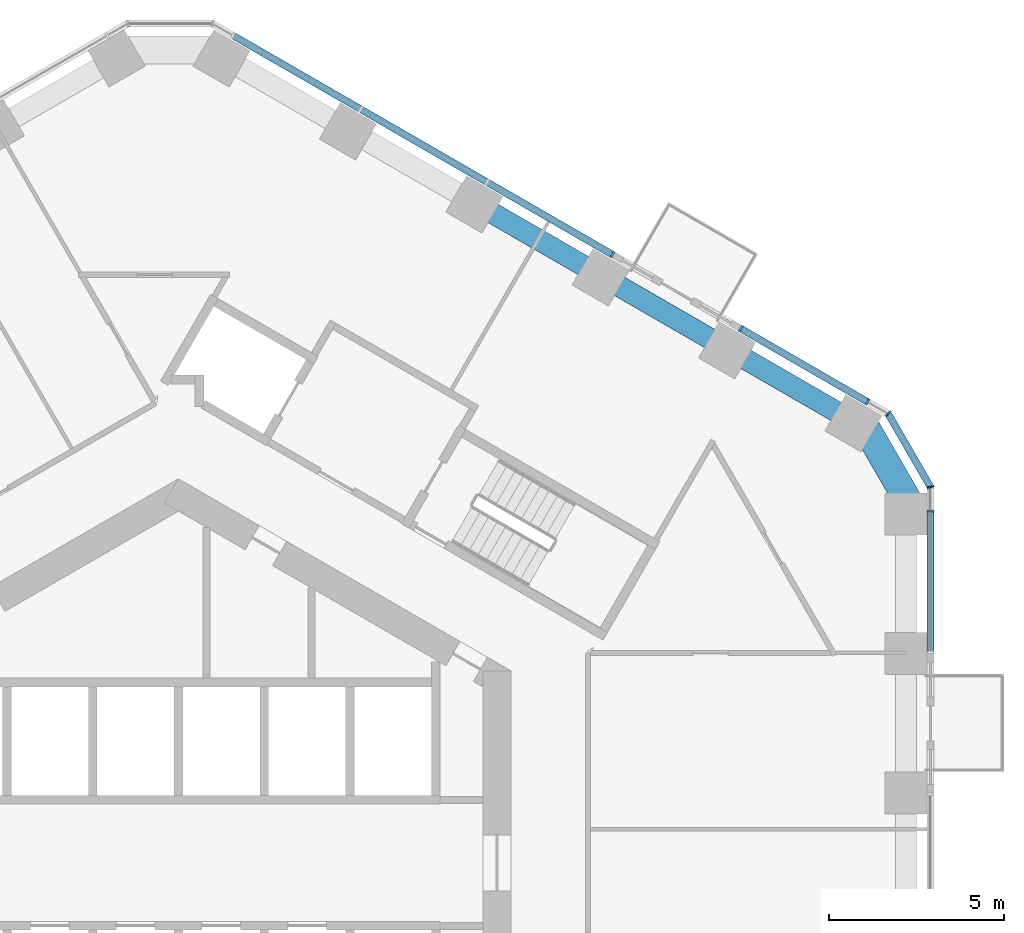
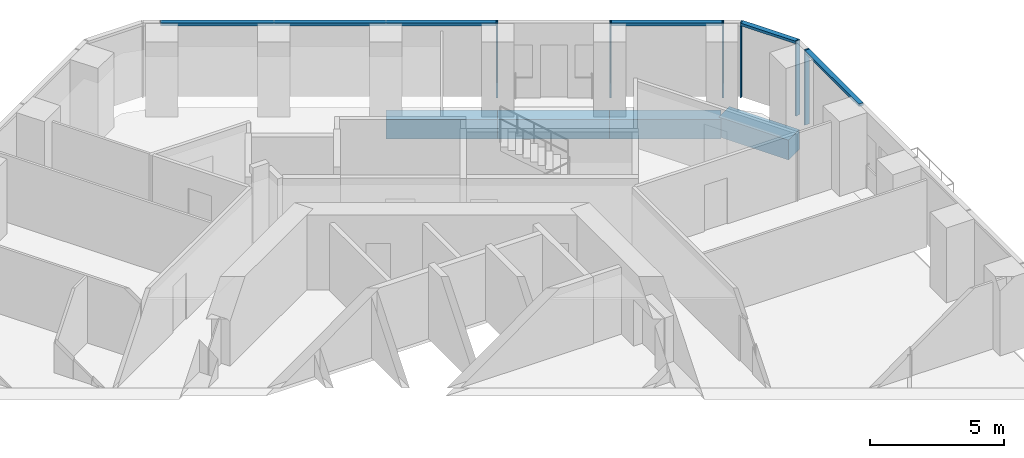
# One storey, part 6 of 19: 10 members, 4 beams, 4 elements without a shape of their own.
"""IFC4 building model written with IfcOpenShell, lengths in metres."""

from ifc_helpers import new_model, si_unit, direction, frame, origin, origin_2d, place, context, subcontext, project, spatial, rectangle, extrude, material, layer, layer_set, material_profile, profile_set, type_object, element, aggregate, save


model = new_model("IFC4")

# Units and contexts
model_context = context("Model", 3, precision=1e-05, world=origin(), true_north=direction((0.0, 1.0)))
body_context = subcontext(model_context, "Body", "Model", "MODEL_VIEW")
ifc_project = project(units=[si_unit("LENGTHUNIT", "METRE"), si_unit("AREAUNIT", "SQUARE_METRE"), si_unit("VOLUMEUNIT", "CUBIC_METRE"), si_unit("PLANEANGLEUNIT", "RADIAN"), si_unit("MASSUNIT", "GRAM", prefix="KILO")], contexts=[model_context])

# Site, building, storey
site_placement = place(None, origin())
site = spatial("IfcSite", under=ifc_project, at=site_placement, CompositionType="ELEMENT")
building_placement = place(site_placement, origin())
building = spatial("IfcBuilding", under=site, at=building_placement, Name="Ayvan Gate Tower", CompositionType="ELEMENT")
storey_placement = place(building_placement, frame((0.0, 0.0, 39.10009765625)))
storey = spatial("IfcBuildingStorey", under=building, at=storey_placement, Name="L09", CompositionType="ELEMENT", Elevation=39.10009765625)

# Beams
ifc_material_1 = material(Name="Concrete C40/50", Category="concrete")
ifc_material_profile_1 = material_profile(ifc_material_1, rectangle(XDim=0.800048828125, YDim=0.89990234375, at=origin_2d()), Name="RC 800x900")
ifc_profile_set_1 = profile_set([ifc_material_profile_1], Name="Concrete C40/50")
beam_type_1 = type_object("IfcBeamType", Name="Corner spandrel beam RC 800x900 C40/50", PredefinedType="BEAM", material=ifc_profile_set_1)
beam_1_placement = place(storey_placement, frame((20.97509765625, 10.119873046875, -0.800048828125), z_axis=(-0.499990139034, 0.866031096941, 0.0), x_axis=(-0.866031096941, -0.499990139034, 0.0)))
element("IfcBeam", 1, at=beam_1_placement, inside=storey, type_object=beam_type_1, Name="SB-L09-6", PredefinedType="BEAM", context=body_context, shape_type="SweptSolid", body=[
    extrude(rectangle(XDim=0.800048828125, YDim=0.89990234375, at=origin_2d()), origin(), (0.0, 0.0, 1.0), 3.0),
])
ifc_material_profile_2 = material_profile(ifc_material_1, rectangle(XDim=0.60009765625, YDim=0.89990234375, at=origin_2d()), Name="RC 600x900")
ifc_profile_set_2 = profile_set([ifc_material_profile_2], Name="Concrete C40/50")
beam_type_2 = type_object("IfcBeamType", Name="Spandrel beam RC 600x900 C40/50", PredefinedType="BEAM", material=ifc_profile_set_2)
beam_2_placement = place(storey_placement, frame((19.28466796875, 12.608154296875, -0.800048828125), z_axis=(-0.866027212972, 0.499996866383, 0.0), x_axis=(-0.499996866383, -0.866027212972, 0.0)))
element("IfcBeam", 2, at=beam_2_placement, inside=storey, type_object=beam_type_2, Name="SB-L09-7", PredefinedType="BEAM", context=body_context, shape_type="SweptSolid", body=[
    extrude(rectangle(XDim=0.60009765625, YDim=0.89990234375, at=origin_2d()), origin(), (0.0, 0.0, 1.0), 4.15869140625),
])
beam_3_placement = place(storey_placement, frame((15.68310546875, 14.6875, -0.800048828125), z_axis=(-0.866041888106, 0.499971447231, 0.0), x_axis=(-0.499971447231, -0.866041888106, 0.0)))
element("IfcBeam", 3, at=beam_3_placement, inside=storey, type_object=beam_type_2, Name="SB-L09-8", PredefinedType="BEAM", context=body_context, shape_type="SweptSolid", body=[
    extrude(rectangle(XDim=0.60009765625, YDim=0.89990234375, at=origin_2d()), origin(), (0.0, 0.0, 1.0), 4.158935546875),
])
beam_4_placement = place(storey_placement, frame((12.081298828125, 16.766845703125, -0.800048828125), z_axis=(-0.866027212972, 0.499996866383, 0.0), x_axis=(-0.499996866383, -0.866027212972, 0.0)))
element("IfcBeam", 4, at=beam_4_placement, inside=storey, type_object=beam_type_2, Name="SB-L09-9", PredefinedType="BEAM", context=body_context, shape_type="SweptSolid", body=[
    extrude(rectangle(XDim=0.60009765625, YDim=0.89990234375, at=origin_2d()), origin(), (0.0, 0.0, 1.0), 4.15869140625),
])

# Curtain wall, member
ifc_material_2 = material(Name="Bronze anodised aluminium", Category="aluminium")
ifc_layer_1 = layer(ifc_material_2, 0.199951171875)
ifc_layer_set_1 = layer_set([ifc_layer_1], Name="Bronze anodised aluminium")
curtain_wall_type_1 = type_object("IfcCurtainWallType", Name="Stick curtain wall CW-1", PredefinedType="NOTDEFINED", material=ifc_layer_set_1)
curtain_wall_1_placement = place(storey_placement, origin())
curtain_wall_1 = element("IfcCurtainWall", 5, at=curtain_wall_1_placement, inside=storey, type_object=curtain_wall_type_1, Name="Stick curtain wall CW-1 L09", PredefinedType="NOTDEFINED")
ifc_material_profile_3 = material_profile(ifc_material_2, rectangle(XDim=0.199951171875, YDim=0.06005859375, at=origin_2d()), Name="Stick curtain wall CW-1 mullion 200 x 60")
ifc_profile_set_3 = profile_set([ifc_material_profile_3], Name="Bronze anodised aluminium")
member_type_1 = type_object("IfcMemberType", Name="Stick curtain wall CW-1 mullion 200 x 60", PredefinedType="MULLION", material=ifc_profile_set_3)
member_1_placement = place(storey_placement, frame((21.484619140625, 10.055908203125, 0.0), z_axis=(0.0, 0.0, 1.0), x_axis=(1.0, 0.0, 0.0)))
member_1 = element("IfcMember", 6, at=member_1_placement, type_object=member_type_1, Name="CW-1 mullion 2", PredefinedType="MULLION", context=body_context, shape_type="SweptSolid", body=[
    extrude(rectangle(XDim=0.199951171875, YDim=0.06005859375, at=origin_2d()), origin(), (0.0, 0.0, 1.0), 3.39990234375),
])

# Curtain wall, members
curtain_wall_2_placement = place(storey_placement, origin())
curtain_wall_2 = element("IfcCurtainWall", 7, at=curtain_wall_2_placement, inside=storey, type_object=curtain_wall_type_1, Name="Stick curtain wall CW-1 L09", PredefinedType="NOTDEFINED")
member_2_placement = place(storey_placement, frame((19.6884765625, 13.1669921875, 0.0), z_axis=(0.0, 0.0, 1.0), x_axis=(0.5, 0.866025403784, 0.0)))
member_2 = element("IfcMember", 8, at=member_2_placement, type_object=member_type_1, Name="CW-1 mullion 1", PredefinedType="MULLION", context=body_context, shape_type="SweptSolid", body=[
    extrude(rectangle(XDim=0.199951171875, YDim=0.06005859375, at=origin_2d()), origin(), (0.0, 0.0, 1.0), 3.39990234375),
])
member_3_placement = place(storey_placement, frame((16.06494140625, 15.259033203125, 0.0), z_axis=(0.0, 0.0, 1.0), x_axis=(0.5, 0.866025403784, 0.0)))
member_3 = element("IfcMember", 9, at=member_3_placement, type_object=member_type_1, Name="CW-1 mullion 2", PredefinedType="MULLION", context=body_context, shape_type="SweptSolid", body=[
    extrude(rectangle(XDim=0.199951171875, YDim=0.06005859375, at=origin_2d()), origin(), (0.0, 0.0, 1.0), 3.39990234375),
])

# Curtain wall, member
curtain_wall_3_placement = place(storey_placement, origin())
curtain_wall_3 = element("IfcCurtainWall", 10, at=curtain_wall_3_placement, inside=storey, type_object=curtain_wall_type_1, Name="Stick curtain wall CW-1 L09", PredefinedType="NOTDEFINED")
member_4_placement = place(storey_placement, frame((12.402587890625, 17.37353515625, 0.0), z_axis=(0.0, 0.0, 1.0), x_axis=(0.5, 0.866025403784, 0.0)))
member_4 = element("IfcMember", 11, at=member_4_placement, type_object=member_type_1, Name="CW-1 mullion 1", PredefinedType="MULLION", context=body_context, shape_type="SweptSolid", body=[
    extrude(rectangle(XDim=0.199951171875, YDim=0.06005859375, at=origin_2d()), origin(), (0.0, 0.0, 1.0), 3.39990234375),
])

# Member
ifc_material_profile_4 = material_profile(ifc_material_2, rectangle(XDim=0.199951171875, YDim=0.1201171875, at=origin_2d()), Name="Stick curtain wall CW-1 transom 200 x 120")
ifc_profile_set_4 = profile_set([ifc_material_profile_4], Name="Bronze anodised aluminium")
member_type_2 = type_object("IfcMemberType", Name="Stick curtain wall CW-1 transom 200 x 120", PredefinedType="USERDEFINED", material=ifc_profile_set_4)
member_5_placement = place(storey_placement, frame((21.484619140625, 6.006103515625, 3.33984375), z_axis=(0.0, 1.0, 0.0), x_axis=(-1.0, 0.0, 0.0)))
member_5 = element("IfcMember", 12, at=member_5_placement, type_object=member_type_2, Name="CW-1 transom 1", ObjectType="TRANSOM", PredefinedType="USERDEFINED", context=body_context, shape_type="SweptSolid", body=[
    extrude(rectangle(XDim=0.199951171875, YDim=0.1201171875, at=origin_2d()), origin(), (0.0, 0.0, 1.0), 4.0498046875),
])

aggregate(curtain_wall_1, [member_1, member_5])

member_6_placement = place(storey_placement, frame((19.6884765625, 13.1669921875, 3.33984375), z_axis=(-0.866026229868, 0.499998569178, 0.0), x_axis=(-0.499998569178, -0.866026229868, 0.0)))
member_6 = element("IfcMember", 13, at=member_6_placement, type_object=member_type_2, Name="CW-1 transom 1", ObjectType="TRANSOM", PredefinedType="USERDEFINED", context=body_context, shape_type="SweptSolid", body=[
    extrude(rectangle(XDim=0.199951171875, YDim=0.1201171875, at=origin_2d()), origin(), (0.0, 0.0, 1.0), 4.18408203125),
])

aggregate(curtain_wall_2, [member_2, member_3, member_6])

member_7_placement = place(storey_placement, frame((12.402587890625, 17.37353515625, 3.33984375), z_axis=(-0.866021938441, 0.500006002103, 0.0), x_axis=(-0.500006002103, -0.866021938441, 0.0)))
member_7 = element("IfcMember", 14, at=member_7_placement, type_object=member_type_2, Name="CW-1 transom 1", ObjectType="TRANSOM", PredefinedType="USERDEFINED", context=body_context, shape_type="SweptSolid", body=[
    extrude(rectangle(XDim=0.199951171875, YDim=0.1201171875, at=origin_2d()), origin(), (0.0, 0.0, 1.0), 12.521240234375),
])

aggregate(curtain_wall_3, [member_4, member_7])

# Curtain wall, members
ifc_layer_2 = layer(ifc_material_2, 0.199951171875)
ifc_layer_set_2 = layer_set([ifc_layer_2], Name="Bronze anodised aluminium")
curtain_wall_type_2 = type_object("IfcCurtainWallType", Name="Stick curtain wall CW-6", PredefinedType="NOTDEFINED", material=ifc_layer_set_2)
curtain_wall_4_placement = place(storey_placement, origin())
curtain_wall_4 = element("IfcCurtainWall", 15, at=curtain_wall_4_placement, inside=storey, type_object=curtain_wall_type_2, Name="Stick curtain wall CW-6 L09", PredefinedType="NOTDEFINED")
ifc_material_profile_5 = material_profile(ifc_material_2, rectangle(XDim=0.199951171875, YDim=0.050048828125, at=origin_2d()), Name="Stick curtain wall CW-6 mullion 200 x 50")
ifc_profile_set_5 = profile_set([ifc_material_profile_5], Name="Bronze anodised aluminium")
member_type_3 = type_object("IfcMemberType", Name="Stick curtain wall CW-6 mullion 200 x 50", PredefinedType="MULLION", material=ifc_profile_set_5)
member_8_placement = place(storey_placement, frame((21.484619140625, 10.736083984375, 0.0), z_axis=(0.0, 0.0, 1.0), x_axis=(0.965925826289, 0.258819045103, 0.0)))
member_8 = element("IfcMember", 16, at=member_8_placement, type_object=member_type_3, Name="CW-6 mullion 2", PredefinedType="MULLION", context=body_context, shape_type="SweptSolid", body=[
    extrude(rectangle(XDim=0.199951171875, YDim=0.050048828125, at=origin_2d()), origin(), (0.0, 0.0, 1.0), 3.39990234375),
])
member_9_placement = place(storey_placement, frame((20.27734375, 12.8271484375, 0.0), z_axis=(0.0, 0.0, 1.0), x_axis=(0.707106781187, 0.707106781187, 0.0)))
member_9 = element("IfcMember", 17, at=member_9_placement, type_object=member_type_3, Name="CW-6 mullion 3", PredefinedType="MULLION", context=body_context, shape_type="SweptSolid", body=[
    extrude(rectangle(XDim=0.199951171875, YDim=0.050048828125, at=origin_2d()), origin(), (0.0, 0.0, 1.0), 3.39990234375),
])
ifc_material_profile_6 = material_profile(ifc_material_2, rectangle(XDim=0.199951171875, YDim=0.1201171875, at=origin_2d()), Name="Stick curtain wall CW-6 transom 200 x 120")
ifc_profile_set_6 = profile_set([ifc_material_profile_6], Name="Bronze anodised aluminium")
member_type_4 = type_object("IfcMemberType", Name="Stick curtain wall CW-6 transom 200 x 120", PredefinedType="USERDEFINED", material=ifc_profile_set_6)
member_10_placement = place(storey_placement, frame((21.47216796875, 10.757568359375, 3.33984375), z_axis=(-0.500014398087, 0.866017090885, 0.0), x_axis=(-0.866017090885, -0.500014398087, 0.0)))
member_10 = element("IfcMember", 18, at=member_10_placement, type_object=member_type_4, Name="CW-6 transom 2", ObjectType="TRANSOM", PredefinedType="USERDEFINED", context=body_context, shape_type="SweptSolid", body=[
    extrude(rectangle(XDim=0.199951171875, YDim=0.1201171875, at=origin_2d()), origin(), (0.0, 0.0, 1.0), 2.36474609375),
])
aggregate(curtain_wall_4, [member_8, member_9, member_10])

save(model, "model.ifc")
